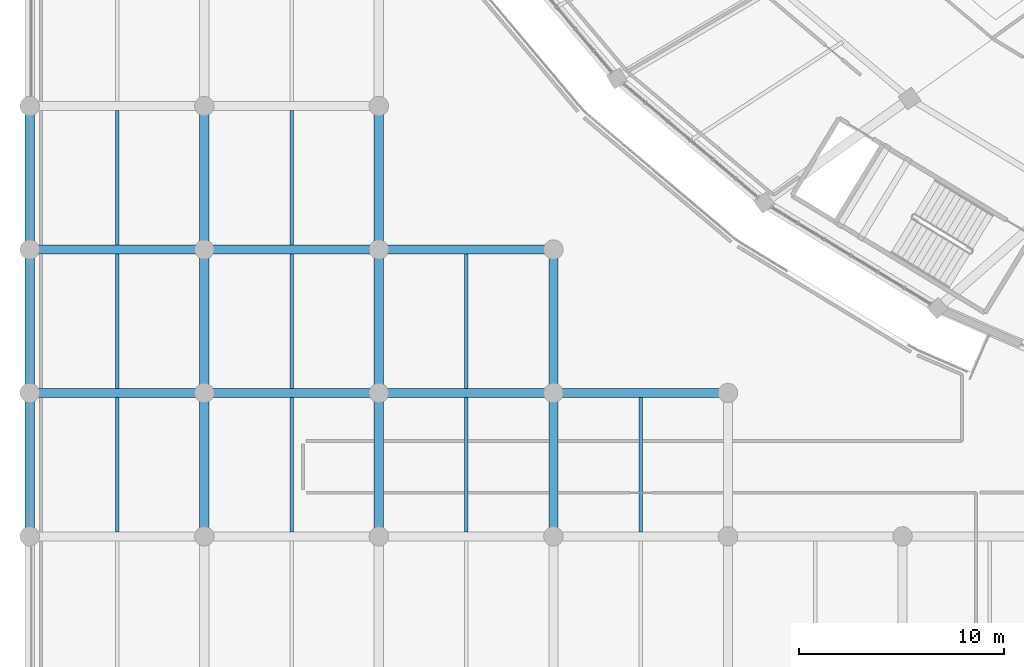
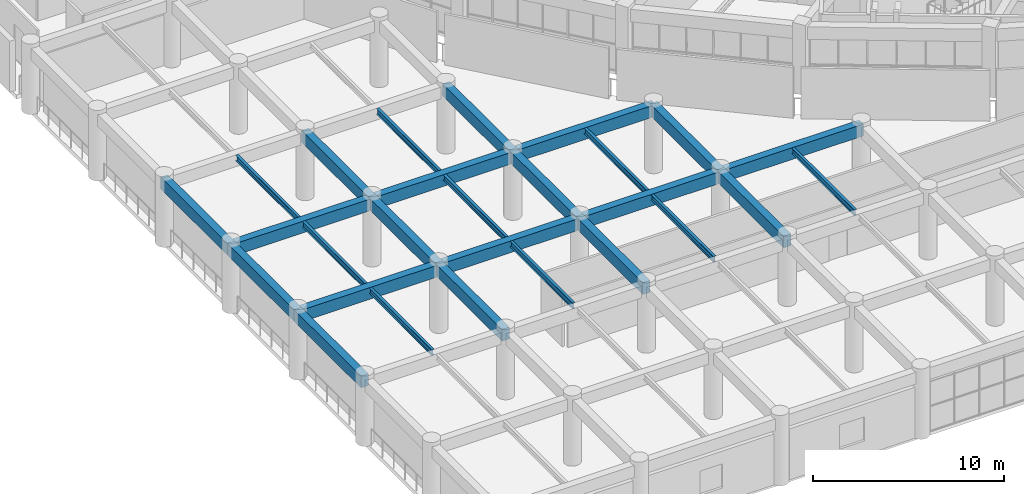
# One storey, part 12 of 141: 27 beams.
"""IFC4 building model written with IfcOpenShell, lengths in metres."""

from ifc_helpers import new_model, si_unit, direction, frame, origin, origin_2d, place, context, subcontext, project, spatial, rectangle, i_section, extrude, material, material_profile, profile_set, type_object, element, save


model = new_model("IFC4")

# Units and contexts
model_context = context("Model", 3, precision=1e-05, world=origin(), true_north=direction((0.0, 1.0)))
body_context = subcontext(model_context, "Body", "Model", "MODEL_VIEW")
ifc_project = project(units=[si_unit("LENGTHUNIT", "METRE"), si_unit("AREAUNIT", "SQUARE_METRE"), si_unit("VOLUMEUNIT", "CUBIC_METRE"), si_unit("PLANEANGLEUNIT", "RADIAN"), si_unit("MASSUNIT", "GRAM", prefix="KILO")], contexts=[model_context])

# Site, building, storey
site_placement = place(None, origin())
site = spatial("IfcSite", under=ifc_project, at=site_placement, CompositionType="ELEMENT")
building_placement = place(site_placement, origin())
building = spatial("IfcBuilding", under=site, at=building_placement, Name="Mphavela Belvedere Stadium", CompositionType="ELEMENT")
storey_placement = place(building_placement, frame((0.0, 0.0, 14.699951171875)))
storey = spatial("IfcBuildingStorey", under=building, at=storey_placement, Name="L03", CompositionType="ELEMENT", Elevation=14.699951171875)

# Beams
ifc_material_1 = material(Name="Steel S355", Category="steel")
ifc_material_profile_1 = material_profile(ifc_material_1, i_section(OverallWidth=0.169921875, OverallDepth=0.360107421875, WebThickness=0.008056640625, FlangeThickness=0.0126953125, at=origin_2d()), Name="IPE 360")
ifc_profile_set_1 = profile_set([ifc_material_profile_1], Name="Steel S355")
beam_type_1 = type_object("IfcBeamType", Name="BM-JOIST-IPE360", PredefinedType="JOIST", material=ifc_profile_set_1)
for number, where, z_axis, x_axis, name in (
    (1, (4.259521484375, 14.22509765625, 4.06005859375), (0.0, 1.0, 0.0), (-1.0, 0.0, 0.0), "South Axial Triumphal Peristyle Portico secondary joist L03 1-3"),
    (2, (4.259521484375, 21.22509765625, 4.06005859375), (0.0, 1.0, 0.0), (-1.0, 0.0, 0.0), "South Axial Triumphal Peristyle Portico secondary joist L03 1-4"),
    (3, (4.259521484375, 28.22509765625, 4.06005859375), (0.0, 1.0, 0.0), (-1.0, 0.0, 0.0), "South Axial Triumphal Peristyle Portico secondary joist L03 1-5"),
    (4, (12.778076171875, 14.22509765625, 4.06005859375), (0.0, 1.0, 0.0), (-1.0, 0.0, 0.0), "South Axial Triumphal Peristyle Portico secondary joist L03 2-3"),
    (5, (12.778076171875, 21.22509765625, 4.06005859375), (0.0, 1.0, 0.0), (-1.0, 0.0, 0.0), "South Axial Triumphal Peristyle Portico secondary joist L03 2-4"),
    (6, (12.778076171875, 28.22509765625, 4.06005859375), (0.0, 1.0, 0.0), (-1.0, 0.0, 0.0), "South Axial Triumphal Peristyle Portico secondary joist L03 2-5"),
    (7, (21.29638671875, 14.22509765625, 4.06005859375), (0.0, 1.0, 0.0), (-1.0, 0.0, 0.0), "South Axial Triumphal Peristyle Portico secondary joist L03 3-3"),
    (8, (21.29638671875, 21.22509765625, 4.06005859375), (0.0, 1.0, 0.0), (-1.0, 0.0, 0.0), "South Axial Triumphal Peristyle Portico secondary joist L03 3-4"),
    (9, (29.81494140625, 14.22509765625, 4.06005859375), (0.0, 1.0, 0.0), (-1.0, 0.0, 0.0), "South Axial Triumphal Peristyle Portico secondary joist L03 4-3"),
):
    element("IfcBeam", number, at=place(storey_placement, frame(where, z_axis=z_axis, x_axis=x_axis)), inside=storey, type_object=beam_type_1, Name=name, PredefinedType="JOIST", context=body_context, shape_type="SweptSolid", body=[
        extrude(i_section(OverallWidth=0.169921875, OverallDepth=0.360107421875, WebThickness=0.008056640625, FlangeThickness=0.0126953125, at=origin_2d()), origin(), (0.0, 0.0, 1.0), 6.5498046875),
    ])
ifc_material_2 = material(Name="Concrete C40/50", Category="concrete")
ifc_material_profile_2 = material_profile(ifc_material_2, rectangle(XDim=0.449951171875, YDim=0.75, at=origin_2d()), Name="RC 450x750")
ifc_profile_set_2 = profile_set([ifc_material_profile_2], Name="Concrete C40/50")
beam_type_2 = type_object("IfcBeamType", Name="BM-RC450x750", PredefinedType="BEAM", material=ifc_profile_set_2)
beam_1_placement = place(storey_placement, frame((0.0, 14.0, 3.864990234375), z_axis=(0.0, 1.0, 0.0), x_axis=(-1.0, 0.0, 0.0)))
element("IfcBeam", 10, at=beam_1_placement, inside=storey, type_object=beam_type_2, Name="South Axial Triumphal Peristyle Portico entablature beam Y L03 1-3", PredefinedType="BEAM", context=body_context, shape_type="SweptSolid", body=[
    extrude(rectangle(XDim=0.449951171875, YDim=0.75, at=origin_2d()), origin(), (0.0, 0.0, 1.0), 7.0),
])
beam_2_placement = place(storey_placement, frame((0.0, 21.0, 3.864990234375), z_axis=(1.0, 0.0, 0.0), x_axis=(0.0, 1.0, 0.0)))
element("IfcBeam", 11, at=beam_2_placement, inside=storey, type_object=beam_type_2, Name="South Axial Triumphal Peristyle Portico entablature beam X L03 1-4", PredefinedType="BEAM", context=body_context, shape_type="SweptSolid", body=[
    extrude(rectangle(XDim=0.449951171875, YDim=0.75, at=origin_2d()), origin(), (0.0, 0.0, 1.0), 8.51904296875),
])
beam_3_placement = place(storey_placement, frame((0.0, 21.0, 3.864990234375), z_axis=(0.0, 1.0, 0.0), x_axis=(-1.0, 0.0, 0.0)))
element("IfcBeam", 12, at=beam_3_placement, inside=storey, type_object=beam_type_2, Name="South Axial Triumphal Peristyle Portico entablature beam Y L03 1-4", PredefinedType="BEAM", context=body_context, shape_type="SweptSolid", body=[
    extrude(rectangle(XDim=0.449951171875, YDim=0.75, at=origin_2d()), origin(), (0.0, 0.0, 1.0), 7.0),
])
beam_4_placement = place(storey_placement, frame((0.0, 28.0, 3.864990234375), z_axis=(1.0, 0.0, 0.0), x_axis=(0.0, 1.0, 0.0)))
element("IfcBeam", 13, at=beam_4_placement, inside=storey, type_object=beam_type_2, Name="South Axial Triumphal Peristyle Portico entablature beam X L03 1-5", PredefinedType="BEAM", context=body_context, shape_type="SweptSolid", body=[
    extrude(rectangle(XDim=0.449951171875, YDim=0.75, at=origin_2d()), origin(), (0.0, 0.0, 1.0), 8.51904296875),
])
for number, where, z_axis, x_axis, name in (
    (14, (0.0, 28.0, 3.864990234375), (0.0, 1.0, 0.0), (-1.0, 0.0, 0.0), "South Axial Triumphal Peristyle Portico entablature beam Y L03 1-5"),
    (15, (8.51904296875, 14.0, 3.864990234375), (0.0, 1.0, 0.0), (-1.0, 0.0, 0.0), "South Axial Triumphal Peristyle Portico entablature beam Y L03 2-3"),
):
    element("IfcBeam", number, at=place(storey_placement, frame(where, z_axis=z_axis, x_axis=x_axis)), inside=storey, type_object=beam_type_2, Name=name, PredefinedType="BEAM", context=body_context, shape_type="SweptSolid", body=[
        extrude(rectangle(XDim=0.449951171875, YDim=0.75, at=origin_2d()), origin(), (0.0, 0.0, 1.0), 7.0),
    ])
beam_5_placement = place(storey_placement, frame((8.51904296875, 21.0, 3.864990234375), z_axis=(1.0, 0.0, 0.0), x_axis=(0.0, 1.0, 0.0)))
element("IfcBeam", 16, at=beam_5_placement, inside=storey, type_object=beam_type_2, Name="South Axial Triumphal Peristyle Portico entablature beam X L03 2-4", PredefinedType="BEAM", context=body_context, shape_type="SweptSolid", body=[
    extrude(rectangle(XDim=0.449951171875, YDim=0.75, at=origin_2d()), origin(), (0.0, 0.0, 1.0), 8.51806640625),
])
beam_6_placement = place(storey_placement, frame((8.51904296875, 21.0, 3.864990234375), z_axis=(0.0, 1.0, 0.0), x_axis=(-1.0, 0.0, 0.0)))
element("IfcBeam", 17, at=beam_6_placement, inside=storey, type_object=beam_type_2, Name="South Axial Triumphal Peristyle Portico entablature beam Y L03 2-4", PredefinedType="BEAM", context=body_context, shape_type="SweptSolid", body=[
    extrude(rectangle(XDim=0.449951171875, YDim=0.75, at=origin_2d()), origin(), (0.0, 0.0, 1.0), 7.0),
])
beam_7_placement = place(storey_placement, frame((8.51904296875, 28.0, 3.864990234375), z_axis=(1.0, 0.0, 0.0), x_axis=(0.0, 1.0, 0.0)))
element("IfcBeam", 18, at=beam_7_placement, inside=storey, type_object=beam_type_2, Name="South Axial Triumphal Peristyle Portico entablature beam X L03 2-5", PredefinedType="BEAM", context=body_context, shape_type="SweptSolid", body=[
    extrude(rectangle(XDim=0.449951171875, YDim=0.75, at=origin_2d()), origin(), (0.0, 0.0, 1.0), 8.51806640625),
])
for number, where, z_axis, x_axis, name in (
    (19, (8.51904296875, 28.0, 3.864990234375), (0.0, 1.0, 0.0), (-1.0, 0.0, 0.0), "South Axial Triumphal Peristyle Portico entablature beam Y L03 2-5"),
    (20, (17.037109375, 14.0, 3.864990234375), (0.0, 1.0, 0.0), (-1.0, 0.0, 0.0), "South Axial Triumphal Peristyle Portico entablature beam Y L03 3-3"),
):
    element("IfcBeam", number, at=place(storey_placement, frame(where, z_axis=z_axis, x_axis=x_axis)), inside=storey, type_object=beam_type_2, Name=name, PredefinedType="BEAM", context=body_context, shape_type="SweptSolid", body=[
        extrude(rectangle(XDim=0.449951171875, YDim=0.75, at=origin_2d()), origin(), (0.0, 0.0, 1.0), 7.0),
    ])
beam_8_placement = place(storey_placement, frame((17.037109375, 21.0, 3.864990234375), z_axis=(1.0, 0.0, 0.0), x_axis=(0.0, 1.0, 0.0)))
element("IfcBeam", 21, at=beam_8_placement, inside=storey, type_object=beam_type_2, Name="South Axial Triumphal Peristyle Portico entablature beam X L03 3-4", PredefinedType="BEAM", context=body_context, shape_type="SweptSolid", body=[
    extrude(rectangle(XDim=0.449951171875, YDim=0.75, at=origin_2d()), origin(), (0.0, 0.0, 1.0), 8.518798828125),
])
beam_9_placement = place(storey_placement, frame((17.037109375, 21.0, 3.864990234375), z_axis=(0.0, 1.0, 0.0), x_axis=(-1.0, 0.0, 0.0)))
element("IfcBeam", 22, at=beam_9_placement, inside=storey, type_object=beam_type_2, Name="South Axial Triumphal Peristyle Portico entablature beam Y L03 3-4", PredefinedType="BEAM", context=body_context, shape_type="SweptSolid", body=[
    extrude(rectangle(XDim=0.449951171875, YDim=0.75, at=origin_2d()), origin(), (0.0, 0.0, 1.0), 7.0),
])
beam_10_placement = place(storey_placement, frame((17.037109375, 28.0, 3.864990234375), z_axis=(1.0, 0.0, 0.0), x_axis=(0.0, 1.0, 0.0)))
element("IfcBeam", 23, at=beam_10_placement, inside=storey, type_object=beam_type_2, Name="South Axial Triumphal Peristyle Portico entablature beam X L03 3-5", PredefinedType="BEAM", context=body_context, shape_type="SweptSolid", body=[
    extrude(rectangle(XDim=0.449951171875, YDim=0.75, at=origin_2d()), origin(), (0.0, 0.0, 1.0), 8.518798828125),
])
for number, where, z_axis, x_axis, name in (
    (24, (17.037109375, 28.0, 3.864990234375), (0.0, 1.0, 0.0), (-1.0, 0.0, 0.0), "South Axial Triumphal Peristyle Portico entablature beam Y L03 3-5"),
    (25, (25.555908203125, 14.0, 3.864990234375), (0.0, 1.0, 0.0), (-1.0, 0.0, 0.0), "South Axial Triumphal Peristyle Portico entablature beam Y L03 4-3"),
):
    element("IfcBeam", number, at=place(storey_placement, frame(where, z_axis=z_axis, x_axis=x_axis)), inside=storey, type_object=beam_type_2, Name=name, PredefinedType="BEAM", context=body_context, shape_type="SweptSolid", body=[
        extrude(rectangle(XDim=0.449951171875, YDim=0.75, at=origin_2d()), origin(), (0.0, 0.0, 1.0), 7.0),
    ])
beam_11_placement = place(storey_placement, frame((25.555908203125, 21.0, 3.864990234375), z_axis=(1.0, 0.0, 0.0), x_axis=(0.0, 1.0, 0.0)))
element("IfcBeam", 26, at=beam_11_placement, inside=storey, type_object=beam_type_2, Name="South Axial Triumphal Peristyle Portico entablature beam X L03 4-4", PredefinedType="BEAM", context=body_context, shape_type="SweptSolid", body=[
    extrude(rectangle(XDim=0.449951171875, YDim=0.75, at=origin_2d()), origin(), (0.0, 0.0, 1.0), 8.51806640625),
])
beam_12_placement = place(storey_placement, frame((25.555908203125, 21.0, 3.864990234375), z_axis=(0.0, 1.0, 0.0), x_axis=(-1.0, 0.0, 0.0)))
element("IfcBeam", 27, at=beam_12_placement, inside=storey, type_object=beam_type_2, Name="South Axial Triumphal Peristyle Portico entablature beam Y L03 4-4", PredefinedType="BEAM", context=body_context, shape_type="SweptSolid", body=[
    extrude(rectangle(XDim=0.449951171875, YDim=0.75, at=origin_2d()), origin(), (0.0, 0.0, 1.0), 7.0),
])

save(model, "model.ifc")
